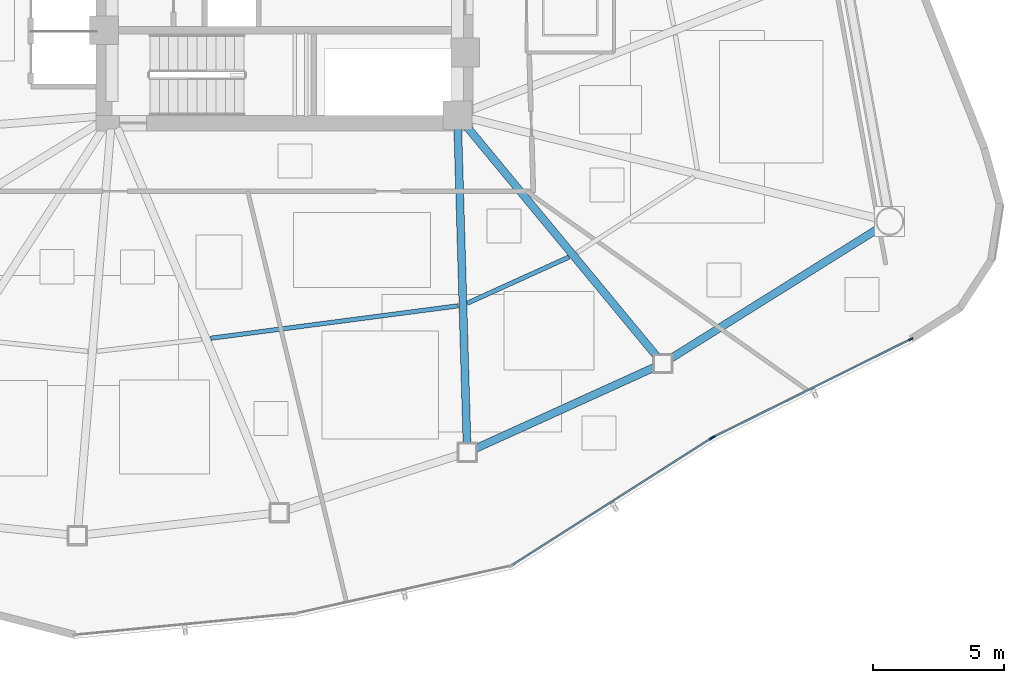
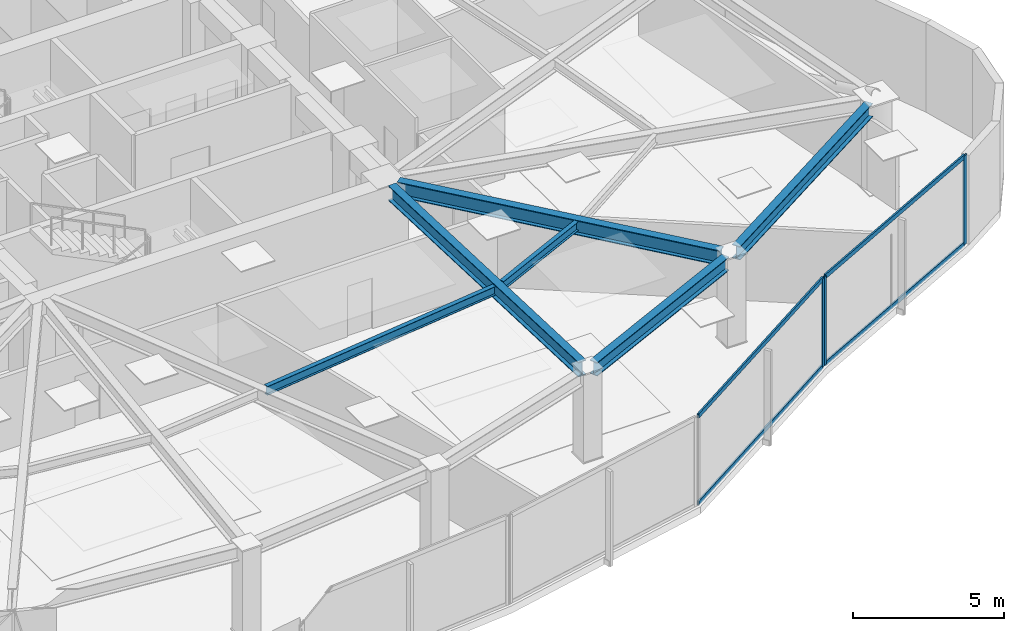
# One storey, part 6 of 18: 7 members, 6 beams, 2 elements without a shape of their own.
"""IFC4 building model written with IfcOpenShell, lengths in metres."""

from ifc_helpers import new_model, si_unit, direction, frame, origin, origin_2d, place, context, subcontext, project, spatial, hollow_rectangle, i_section, extrude, source, transform, mapped, material, layer, layer_set, material_profile, profile_set, type_object, type_shapes, element, aggregate, save


model = new_model("IFC4")

# Units and contexts
model_context = context("Model", 3, precision=1e-05, world=origin(), true_north=direction((0.0, 1.0)))
body_context = subcontext(model_context, "Body", "Model", "MODEL_VIEW")
ifc_project = project(units=[si_unit("LENGTHUNIT", "METRE"), si_unit("AREAUNIT", "SQUARE_METRE"), si_unit("VOLUMEUNIT", "CUBIC_METRE"), si_unit("PLANEANGLEUNIT", "RADIAN"), si_unit("MASSUNIT", "GRAM", prefix="KILO")], contexts=[model_context])

# Site, building, storey
site_placement = place(None, origin())
site = spatial("IfcSite", under=ifc_project, at=site_placement, CompositionType="ELEMENT")
building_placement = place(site_placement, origin())
building = spatial("IfcBuilding", under=site, at=building_placement, Name="Tavelor Broadcast Tower", CompositionType="ELEMENT")
storey_placement = place(building_placement, frame((0.0, 0.0, 62.699951171875)))
storey = spatial("IfcBuildingStorey", under=building, at=storey_placement, Name="L14", CompositionType="ELEMENT", Elevation=62.699951171875)

# Beams
ifc_material_1 = material(Name="Steel S355", Category="steel")
ifc_material_profile_1 = material_profile(ifc_material_1, i_section(OverallWidth=0.169921875, OverallDepth=0.360107421875, WebThickness=0.008056640625, FlangeThickness=0.0126953125, at=origin_2d()), Name="IPE 360")
ifc_profile_set_1 = profile_set([ifc_material_profile_1], Name="Steel S355")
beam_type_1 = type_object("IfcBeamType", Name="Composite Floor Joist T2 IPE 360", PredefinedType="JOIST", material=ifc_profile_set_1)
beam_1_placement = place(storey_placement, frame((47.173095703125, 30.281005859375, 3.420166015625), z_axis=(0.991523318151, 0.129928863469, 0.0), x_axis=(-0.129928863469, 0.991523318151, 0.0)))
element("IfcBeam", 1, at=beam_1_placement, inside=storey, type_object=beam_type_1, Name="L14 Secondary Composite Floor Joist 10", PredefinedType="JOIST", context=body_context, shape_type="SweptSolid", body=[
    extrude(i_section(OverallWidth=0.169921875, OverallDepth=0.360107421875, WebThickness=0.008056640625, FlangeThickness=0.0126953125, at=origin_2d()), origin(), (0.0, 0.0, 1.0), 9.539794921875),
])
beam_2_placement = place(storey_placement, frame((56.976318359375, 31.61865234375, 3.420166015625), z_axis=(0.910576347723, 0.413340918573, 0.0), x_axis=(-0.413340918573, 0.910576347723, 0.0)))
element("IfcBeam", 2, at=beam_2_placement, inside=storey, type_object=beam_type_1, Name="L14 Secondary Composite Floor Joist 11", PredefinedType="JOIST", context=body_context, shape_type="SweptSolid", body=[
    extrude(i_section(OverallWidth=0.169921875, OverallDepth=0.360107421875, WebThickness=0.008056640625, FlangeThickness=0.0126953125, at=origin_2d()), origin(), (0.0, 0.0, 1.0), 4.26025390625),
])
ifc_material_profile_2 = material_profile(ifc_material_1, i_section(OverallWidth=0.300048828125, OverallDepth=0.550048828125, WebThickness=0.014892578125, FlangeThickness=0.029052734375, at=origin_2d()), Name="HEB 550")
ifc_profile_set_2 = profile_set([ifc_material_profile_2], Name="Steel S355")
beam_type_2 = type_object("IfcBeamType", Name="Perimeter Spandrel Beam T2 HEB 550", PredefinedType="SPANDREL", material=ifc_profile_set_2)
beam_3_placement = place(storey_placement, frame((57.28125, 26.060546875, 3.324951171875), z_axis=(0.910420869291, 0.413683261395, 0.0), x_axis=(-0.413683261395, 0.910420869291, 0.0)))
element("IfcBeam", 3, at=beam_3_placement, inside=storey, type_object=beam_type_2, Name="L14 Framed-Tube Ring Spandrel 11", PredefinedType="SPANDREL", context=body_context, shape_type="SweptSolid", body=[
    extrude(i_section(OverallWidth=0.300048828125, OverallDepth=0.550048828125, WebThickness=0.014892578125, FlangeThickness=0.029052734375, at=origin_2d()), origin(), (0.0, 0.0, 1.0), 7.531005859375),
])
beam_4_placement = place(storey_placement, frame((64.728271484375, 29.493408203125, 3.324951171875), z_axis=(0.847666386228, 0.530529638813, 0.0), x_axis=(-0.530529638813, 0.847666386228, 0.0)))
element("IfcBeam", 4, at=beam_4_placement, inside=storey, type_object=beam_type_2, Name="L14 Framed-Tube Ring Spandrel 12", PredefinedType="SPANDREL", context=body_context, shape_type="SweptSolid", body=[
    extrude(i_section(OverallWidth=0.300048828125, OverallDepth=0.550048828125, WebThickness=0.014892578125, FlangeThickness=0.029052734375, at=origin_2d()), origin(), (0.0, 0.0, 1.0), 9.385009765625),
])
ifc_material_profile_3 = material_profile(ifc_material_1, i_section(OverallWidth=0.300048828125, OverallDepth=0.60009765625, WebThickness=0.015380859375, FlangeThickness=0.030029296875, at=origin_2d()), Name="HEB 600")
ifc_profile_set_3 = profile_set([ifc_material_profile_3], Name="Steel S355")
beam_type_3 = type_object("IfcBeamType", Name="Radial Floor Girder T2 HEB 600", PredefinedType="BEAM", material=ifc_profile_set_3)
beam_5_placement = place(storey_placement, frame((56.615478515625, 38.272216796875, 3.300048828125), z_axis=(0.029126279866, -0.999575739912, 0.0), x_axis=(0.999575739912, 0.029126279866, 0.0)))
element("IfcBeam", 5, at=beam_5_placement, inside=storey, type_object=beam_type_3, Name="L14 Radial Primary Floor Girder 11", PredefinedType="BEAM", context=body_context, shape_type="SweptSolid", body=[
    extrude(i_section(OverallWidth=0.300048828125, OverallDepth=0.60009765625, WebThickness=0.015380859375, FlangeThickness=0.030029296875, at=origin_2d()), origin(), (0.0, 0.0, 1.0), 12.02001953125),
])
beam_6_placement = place(storey_placement, frame((56.9365234375, 38.39306640625, 3.300048828125), z_axis=(0.637277760564, -0.770634190709, 0.0), x_axis=(0.770634190709, 0.637277760564, 0.0)))
element("IfcBeam", 6, at=beam_6_placement, inside=storey, type_object=beam_type_3, Name="L14 Radial Primary Floor Girder 12", PredefinedType="BEAM", context=body_context, shape_type="SweptSolid", body=[
    extrude(i_section(OverallWidth=0.300048828125, OverallDepth=0.60009765625, WebThickness=0.015380859375, FlangeThickness=0.030029296875, at=origin_2d()), origin(), (0.0, 0.0, 1.0), 11.44384765625),
])

# Curtain wall, member
ifc_material_2 = material(Name="Architectural Anodized Aluminium", Category="aluminium")
ifc_layer = layer(ifc_material_2, 0.179931640625)
ifc_layer_set = layer_set([ifc_layer], Name="Architectural Anodized Aluminium")
curtain_wall_type = type_object("IfcCurtainWallType", Name="Tower Low-Zone Unitised Curtain Wall CW02", PredefinedType="NOTDEFINED", material=ifc_layer_set)
curtain_wall_1_placement = place(storey_placement, origin())
curtain_wall_1 = element("IfcCurtainWall", 7, at=curtain_wall_1_placement, inside=storey, type_object=curtain_wall_type, Name="L14 Curtain Wall CW02 Run 127", PredefinedType="NOTDEFINED")
ifc_material_profile_4 = material_profile(ifc_material_2, hollow_rectangle(XDim=0.06494140625, YDim=0.179931640625, WallThickness=0.02197265625, at=origin_2d()), Name="RHS 65x180x22")
ifc_profile_set_4 = profile_set([ifc_material_profile_4], Name="Architectural Anodized Aluminium")
member_type_1 = type_object("IfcMemberType", Name="CW02 Extruded Aluminium Mullion 65x180", PredefinedType="MULLION", material=ifc_profile_set_4)
shared_shape_1 = source(origin(), body_context, "Body", "SweptSolid", [
    extrude(hollow_rectangle(XDim=0.06494140625, YDim=0.179931640625, WallThickness=0.02197265625, at=origin_2d()), origin(), (0.0, 0.0, 1.0), 3.60009765625),
])
type_shapes(member_type_1, [shared_shape_1])
member_1_placement = place(storey_placement, frame((66.29638671875, 26.455810546875, 0.0), z_axis=(0.0, 0.0, 1.0), x_axis=(-0.537579486414, 0.84321307852, 0.0)))
member_1 = element("IfcMember", 8, at=member_1_placement, type_object=member_type_1, Name="CW02 mullion 2", PredefinedType="MULLION", context=body_context, shape_type="MappedRepresentation", body=[
    mapped(shared_shape_1, transform((0.0, 0.0, 0.0), scale=1.0)),
])

# Curtain wall, members
curtain_wall_2_placement = place(storey_placement, origin())
curtain_wall_2 = element("IfcCurtainWall", 9, at=curtain_wall_2_placement, inside=storey, type_object=curtain_wall_type, Name="L14 Curtain Wall CW02 Run 128", PredefinedType="NOTDEFINED")
member_2_placement = place(storey_placement, frame((66.379150390625, 26.50244140625, 0.0), z_axis=(0.0, 0.0, 1.0), x_axis=(-0.444269338894, 0.895893271835, 0.0)))
member_2 = element("IfcMember", 10, at=member_2_placement, type_object=member_type_1, Name="CW02 mullion 1", PredefinedType="MULLION", context=body_context, shape_type="MappedRepresentation", body=[
    mapped(shared_shape_1, transform((0.0, 0.0, 0.0), scale=1.0)),
])
member_3_placement = place(storey_placement, frame((73.922119140625, 30.242919921875, 0.0), z_axis=(0.0, 0.0, 1.0), x_axis=(-0.444269338894, 0.895893271835, 0.0)))
member_3 = element("IfcMember", 11, at=member_3_placement, type_object=member_type_1, Name="CW02 mullion 2", PredefinedType="MULLION", context=body_context, shape_type="MappedRepresentation", body=[
    mapped(shared_shape_1, transform((0.0, 0.0, 0.0), scale=1.0)),
])

# Member
ifc_material_profile_5 = material_profile(ifc_material_2, hollow_rectangle(XDim=0.06494140625, YDim=0.179931640625, WallThickness=0.02197265625, at=origin_2d()), Name="RHS 65x180x22")
ifc_profile_set_5 = profile_set([ifc_material_profile_5], Name="Architectural Anodized Aluminium")
member_type_2 = type_object("IfcMemberType", Name="CW02 Extruded Aluminium Transom 65x180", PredefinedType="USERDEFINED", material=ifc_profile_set_5)
shared_shape_2 = source(origin(), body_context, "Body", "SweptSolid", [
    extrude(hollow_rectangle(XDim=0.06494140625, YDim=0.179931640625, WallThickness=0.02197265625, at=origin_2d()), origin(), (0.0, 0.0, 1.0), 8.939453125),
])
member_4_placement = place(storey_placement, frame((58.731201171875, 21.632568359375, 0.032470703125), z_axis=(0.843212497209, 0.53758039822, 0.0), x_axis=(-0.53758039822, 0.843212497209, 0.0)))
member_4 = element("IfcMember", 12, at=member_4_placement, type_object=member_type_2, Name="CW02 transom 1.1", ObjectType="TRANSOM", PredefinedType="USERDEFINED", context=body_context, shape_type="MappedRepresentation", body=[
    mapped(shared_shape_2, transform((0.0, 0.0, 0.0), scale=1.0)),
])

member_5_placement = place(storey_placement, frame((58.731201171875, 21.632568359375, 3.567626953125), z_axis=(0.843212497209, 0.53758039822, 0.0), x_axis=(-0.53758039822, 0.843212497209, 0.0)))
member_5 = element("IfcMember", 13, at=member_5_placement, type_object=member_type_2, Name="CW02 transom 1.2", ObjectType="TRANSOM", PredefinedType="USERDEFINED", context=body_context, shape_type="MappedRepresentation", body=[
    mapped(shared_shape_2, transform((0.0, 0.0, 0.0), scale=1.0)),
])

aggregate(curtain_wall_1, [member_1, member_4, member_5])

shared_shape_3 = source(origin(), body_context, "Body", "SweptSolid", [
    extrude(hollow_rectangle(XDim=0.06494140625, YDim=0.179931640625, WallThickness=0.02197265625, at=origin_2d()), origin(), (0.0, 0.0, 1.0), 8.354736328125),
])
type_shapes(member_type_2, [shared_shape_2, shared_shape_3])
member_6_placement = place(storey_placement, frame((66.408203125, 26.516845703125, 0.032470703125), z_axis=(0.895895141054, 0.444265569491, 0.0), x_axis=(-0.444265569491, 0.895895141054, 0.0)))
member_6 = element("IfcMember", 14, at=member_6_placement, type_object=member_type_2, Name="CW02 transom 1.1", ObjectType="TRANSOM", PredefinedType="USERDEFINED", context=body_context, shape_type="MappedRepresentation", body=[
    mapped(shared_shape_3, transform((0.0, 0.0, 0.0), scale=1.0)),
])

member_7_placement = place(storey_placement, frame((66.408203125, 26.516845703125, 3.567626953125), z_axis=(0.895895141054, 0.444265569491, 0.0), x_axis=(-0.444265569491, 0.895895141054, 0.0)))
member_7 = element("IfcMember", 15, at=member_7_placement, type_object=member_type_2, Name="CW02 transom 1.2", ObjectType="TRANSOM", PredefinedType="USERDEFINED", context=body_context, shape_type="MappedRepresentation", body=[
    mapped(shared_shape_3, transform((0.0, 0.0, 0.0), scale=1.0)),
])

aggregate(curtain_wall_2, [member_2, member_3, member_6, member_7])

save(model, "model.ifc")
